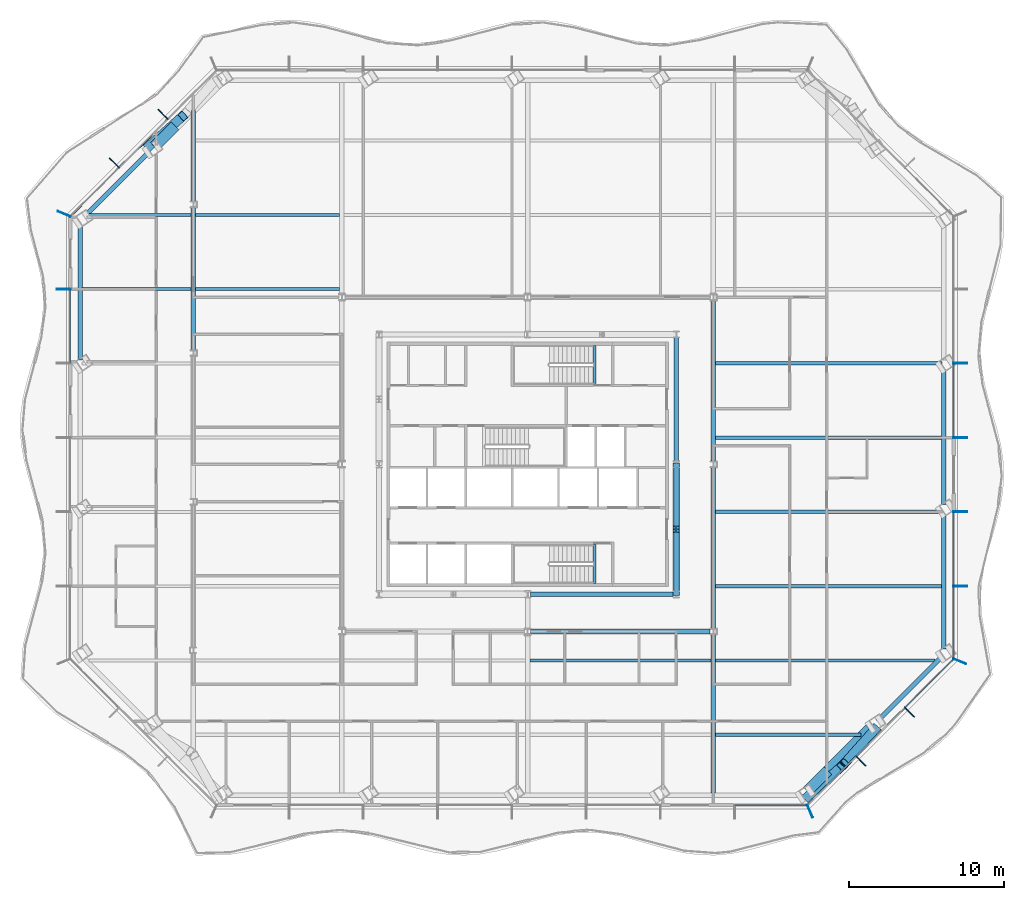
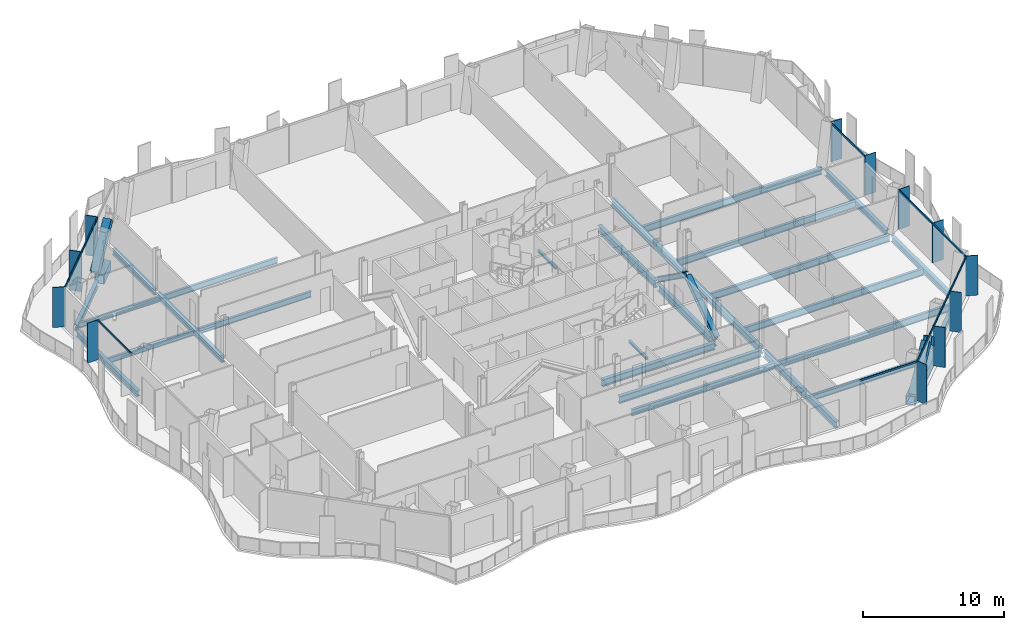
# One storey, part 4 of 21: 30 beams, 27 members, 5 elements without a shape of their own.
"""IFC4 building model written with IfcOpenShell, lengths in metres."""

from ifc_helpers import new_model, si_unit, direction, frame, origin, origin_2d, place, context, subcontext, project, spatial, rectangle, hollow_rectangle, i_section, extrude, material, material_profile, profile_set, type_object, element, aggregate, save


model = new_model("IFC4")

# Units and contexts
model_context = context("Model", 3, precision=1e-05, world=origin(), true_north=direction((0.0, 1.0)))
body_context = subcontext(model_context, "Body", "Model", "MODEL_VIEW")
ifc_project = project(units=[si_unit("LENGTHUNIT", "METRE"), si_unit("AREAUNIT", "SQUARE_METRE"), si_unit("VOLUMEUNIT", "CUBIC_METRE"), si_unit("PLANEANGLEUNIT", "RADIAN"), si_unit("MASSUNIT", "GRAM", prefix="KILO")], contexts=[model_context])

# Site, building, storey
site_placement = place(None, origin())
site = spatial("IfcSite", under=ifc_project, at=site_placement, CompositionType="ELEMENT")
building_placement = place(site_placement, origin())
building = spatial("IfcBuilding", under=site, at=building_placement, Name="Cairn Pilgrim Tower", CompositionType="ELEMENT")
storey_placement = place(building_placement, frame((0.0, 0.0, 108.60009765625)))
storey = spatial("IfcBuildingStorey", under=building, at=storey_placement, Name="L26", CompositionType="ELEMENT", Elevation=108.60009765625)

# Members
ifc_material_1 = material(Name="Structural steel S460M", Category="steel")
ifc_material_profile_1 = material_profile(ifc_material_1, hollow_rectangle(XDim=0.60009765625, YDim=0.60009765625, WallThickness=0.034912109375, at=origin_2d()), Name="BOX 600x600x35")
ifc_profile_set_1 = profile_set([ifc_material_profile_1], Name="Structural steel S460M")
member_type_1 = type_object("IfcMemberType", Name="BOX 600x600x35 BRACE", PredefinedType="BRACE", material=ifc_profile_set_1)
for number, where, z_axis, x_axis, name in (
    (1, (25.2626953125, -19.10302734375, 0.14990234375), (0.559642031848, 0.498871124755, 0.661761586279), (-0.665414936214, 0.746473685178, 0.0), "XB-SE1-SE2-1"),
    (2, (29.68603515625, -14.6796875, 0.14990234375), (-0.498871124755, -0.559642031848, 0.661761586279), (0.746473685178, -0.665414936214, 0.0), "XB-SE1-SE2-2"),
):
    element("IfcMember", number, at=place(storey_placement, frame(where, z_axis=z_axis, x_axis=x_axis)), inside=storey, type_object=member_type_1, Name=name, PredefinedType="BRACE", context=body_context, shape_type="SweptSolid", body=[
        extrude(hollow_rectangle(XDim=0.60009765625, YDim=0.60009765625, WallThickness=0.034912109375, at=origin_2d()), origin(), (0.0, 0.0, 1.0), 3.997314453125),
    ])
member_1_placement = place(storey_placement, frame((-17.302734375, 22.935302734375, 0.14990234375), z_axis=(0.559570901461, 0.498940471918, 0.661769455113), x_axis=(-0.665513600019, 0.746385723463, 0.0)))
element("IfcMember", 3, at=member_1_placement, inside=storey, type_object=member_type_1, Name="XB-NW1-NW2-2", PredefinedType="BRACE", context=body_context, shape_type="SweptSolid", body=[
    extrude(hollow_rectangle(XDim=0.60009765625, YDim=0.60009765625, WallThickness=0.034912109375, at=origin_2d()), origin(), (0.0, 0.0, 1.0), 3.97021484375),
])

# Beams
ifc_material_2 = material(Name="Structural steel S355J2", Category="steel")
ifc_material_profile_2 = material_profile(ifc_material_2, hollow_rectangle(XDim=0.699951171875, YDim=0.800048828125, WallThickness=0.0400390625, at=origin_2d()), Name="BOX 700x800x40")
ifc_profile_set_2 = profile_set([ifc_material_profile_2], Name="Structural steel S355J2")
beam_type_1 = type_object("IfcBeamType", Name="BOX 700x800x40 RING GIRDER", PredefinedType="SPANDREL", material=ifc_profile_set_2)
beam_1_placement = place(storey_placement, frame((25.2734375, -18.7177734375, -0.550048828125), z_axis=(0.707106781187, 0.707106781187, 0.0), x_axis=(-0.707106781187, 0.707106781187, 0.0)))
element("IfcBeam", 4, at=beam_1_placement, inside=storey, type_object=beam_type_1, Name="RG1-SE1-SE2-1", PredefinedType="SPANDREL", context=body_context, shape_type="SweptSolid", body=[
    extrude(hollow_rectangle(XDim=0.699951171875, YDim=0.800048828125, WallThickness=0.0400390625, at=origin_2d()), origin(), (0.0, 0.0, 1.0), 1.885498046875),
])
beam_2_placement = place(storey_placement, frame((26.606689453125, -17.384521484375, -0.550048828125), z_axis=(0.707106781187, 0.707106781187, 0.0), x_axis=(-0.707106781187, 0.707106781187, 0.0)))
element("IfcBeam", 5, at=beam_2_placement, inside=storey, type_object=beam_type_1, Name="RG1-SE1-SE2-2", PredefinedType="SPANDREL", context=body_context, shape_type="SweptSolid", body=[
    extrude(hollow_rectangle(XDim=0.699951171875, YDim=0.800048828125, WallThickness=0.0400390625, at=origin_2d()), origin(), (0.0, 0.0, 1.0), 3.81005859375),
])
beam_3_placement = place(storey_placement, frame((-15.584228515625, 24.279052734375, -0.550048828125), z_axis=(-0.707106781187, -0.707106781187, 0.0), x_axis=(0.707106781187, -0.707106781187, 0.0)))
element("IfcBeam", 6, at=beam_3_placement, inside=storey, type_object=beam_type_1, Name="RG1-NW1-NW2-2", PredefinedType="SPANDREL", context=body_context, shape_type="SweptSolid", body=[
    extrude(hollow_rectangle(XDim=0.699951171875, YDim=0.800048828125, WallThickness=0.0400390625, at=origin_2d()), origin(), (0.0, 0.0, 1.0), 1.885498046875),
])

# Curtain wall, members
ifc_material_3 = material(Name="Aluminium alloy 6063-T6 bronze anodised with Bronze tinted laminated low-E glass 8+16+8.8", Category="aluminium")
curtain_wall_type_1 = type_object("IfcCurtainWallType", Name="CHAMFER CORNER CURTAIN WALL", PredefinedType="NOTDEFINED", material=ifc_material_3)
curtain_wall_1_placement = place(storey_placement, origin())
curtain_wall_1 = element("IfcCurtainWall", 7, at=curtain_wall_1_placement, inside=storey, type_object=curtain_wall_type_1, Name="Chamfer Corner Curtain Wall SE", PredefinedType="NOTDEFINED")
ifc_material_4 = material(Name="Aluminium alloy 6063-T6 bronze anodised", Category="aluminium")
ifc_material_profile_3 = material_profile(ifc_material_4, rectangle(XDim=0.89990234375, YDim=0.06005859375, at=origin_2d()), Name="FIN MULLION 60x900 BRONZE")
ifc_profile_set_3 = profile_set([ifc_material_profile_3], Name="Aluminium alloy 6063-T6 bronze anodised")
member_type_2 = type_object("IfcMemberType", Name="FIN MULLION 60x900 BRONZE", PredefinedType="MULLION", material=ifc_profile_set_3)
member_2_placement = place(storey_placement, frame((25.44873046875, -20.01025390625, 0.0), z_axis=(0.0, 0.0, 1.0), x_axis=(0.382683432365, -0.923879532511, 0.0)))
member_2 = element("IfcMember", 8, at=member_2_placement, type_object=member_type_2, Name="Fin mullion SE1", PredefinedType="MULLION", context=body_context, shape_type="SweptSolid", body=[
    extrude(rectangle(XDim=0.89990234375, YDim=0.06005859375, at=origin_2d()), origin(), (0.0, 0.0, 1.0), 3.449951171875),
])
member_3_placement = place(storey_placement, frame((28.736328125, -16.76806640625, 0.0), z_axis=(0.0, 0.0, 1.0), x_axis=(0.707106781187, -0.707106781187, 0.0)))
member_3 = element("IfcMember", 9, at=member_3_placement, type_object=member_type_2, Name="Fin mullion SE2", PredefinedType="MULLION", context=body_context, shape_type="SweptSolid", body=[
    extrude(rectangle(XDim=0.89990234375, YDim=0.06005859375, at=origin_2d()), origin(), (0.0, 0.0, 1.0), 3.449951171875),
])
member_4_placement = place(storey_placement, frame((31.887451171875, -13.616943359375, 0.0), z_axis=(0.0, 0.0, 1.0), x_axis=(0.707106781187, -0.707106781187, 0.0)))
member_4 = element("IfcMember", 10, at=member_4_placement, type_object=member_type_2, Name="Fin mullion SE3", PredefinedType="MULLION", context=body_context, shape_type="SweptSolid", body=[
    extrude(rectangle(XDim=0.89990234375, YDim=0.06005859375, at=origin_2d()), origin(), (0.0, 0.0, 1.0), 3.449951171875),
])

curtain_wall_type_2 = type_object("IfcCurtainWallType", Name="TOWER STICK CURTAIN WALL EW", PredefinedType="NOTDEFINED", material=ifc_material_3)
curtain_wall_2_placement = place(storey_placement, origin())
curtain_wall_2 = element("IfcCurtainWall", 11, at=curtain_wall_2_placement, inside=storey, type_object=curtain_wall_type_2, Name="Tower Stick Curtain Wall Ew E", PredefinedType="NOTDEFINED")
member_5_placement = place(storey_placement, frame((35.129638671875, -10.329345703125, 0.0), z_axis=(0.0, 0.0, 1.0), x_axis=(0.923879532511, -0.382683432365, 0.0)))
member_5 = element("IfcMember", 12, at=member_5_placement, type_object=member_type_2, Name="Fin mullion E1", PredefinedType="MULLION", context=body_context, shape_type="SweptSolid", body=[
    extrude(rectangle(XDim=0.89990234375, YDim=0.06005859375, at=origin_2d()), origin(), (0.0, 0.0, 1.0), 3.449951171875),
])
member_6_placement = place(storey_placement, frame((35.16162109375, -5.47216796875, 0.0), z_axis=(0.0, 0.0, 1.0), x_axis=(1.0, 0.0, 0.0)))
member_6 = element("IfcMember", 13, at=member_6_placement, type_object=member_type_2, Name="Fin mullion E2", PredefinedType="MULLION", context=body_context, shape_type="SweptSolid", body=[
    extrude(rectangle(XDim=0.89990234375, YDim=0.06005859375, at=origin_2d()), origin(), (0.0, 0.0, 1.0), 3.449951171875),
])
member_7_placement = place(storey_placement, frame((35.16162109375, -0.67236328125, 0.0), z_axis=(0.0, 0.0, 1.0), x_axis=(1.0, 0.0, 0.0)))
member_7 = element("IfcMember", 14, at=member_7_placement, type_object=member_type_2, Name="Fin mullion E3", PredefinedType="MULLION", context=body_context, shape_type="SweptSolid", body=[
    extrude(rectangle(XDim=0.89990234375, YDim=0.06005859375, at=origin_2d()), origin(), (0.0, 0.0, 1.0), 3.449951171875),
])
member_8_placement = place(storey_placement, frame((35.16162109375, 4.127685546875, 0.0), z_axis=(0.0, 0.0, 1.0), x_axis=(1.0, 0.0, 0.0)))
member_8 = element("IfcMember", 15, at=member_8_placement, type_object=member_type_2, Name="Fin mullion E4", PredefinedType="MULLION", context=body_context, shape_type="SweptSolid", body=[
    extrude(rectangle(XDim=0.89990234375, YDim=0.06005859375, at=origin_2d()), origin(), (0.0, 0.0, 1.0), 3.449951171875),
])
member_9_placement = place(storey_placement, frame((35.16162109375, 8.927734375, 0.0), z_axis=(0.0, 0.0, 1.0), x_axis=(1.0, 0.0, 0.0)))
member_9 = element("IfcMember", 16, at=member_9_placement, type_object=member_type_2, Name="Fin mullion E5", PredefinedType="MULLION", context=body_context, shape_type="SweptSolid", body=[
    extrude(rectangle(XDim=0.89990234375, YDim=0.06005859375, at=origin_2d()), origin(), (0.0, 0.0, 1.0), 3.449951171875),
])

curtain_wall_3_placement = place(storey_placement, origin())
curtain_wall_3 = element("IfcCurtainWall", 17, at=curtain_wall_3_placement, inside=storey, type_object=curtain_wall_type_1, Name="Chamfer Corner Curtain Wall NW", PredefinedType="NOTDEFINED")
member_10_placement = place(storey_placement, frame((-16.35302734375, 25.0234375, 0.0), z_axis=(0.0, 0.0, 1.0), x_axis=(-0.707106781187, 0.707106781187, 0.0)))
member_10 = element("IfcMember", 18, at=member_10_placement, type_object=member_type_2, Name="Fin mullion NW2", PredefinedType="MULLION", context=body_context, shape_type="SweptSolid", body=[
    extrude(rectangle(XDim=0.89990234375, YDim=0.06005859375, at=origin_2d()), origin(), (0.0, 0.0, 1.0), 3.449951171875),
])
member_11_placement = place(storey_placement, frame((-19.504150390625, 21.872314453125, 0.0), z_axis=(0.0, 0.0, 1.0), x_axis=(-0.707106781187, 0.707106781187, 0.0)))
member_11 = element("IfcMember", 19, at=member_11_placement, type_object=member_type_2, Name="Fin mullion NW3", PredefinedType="MULLION", context=body_context, shape_type="SweptSolid", body=[
    extrude(rectangle(XDim=0.89990234375, YDim=0.06005859375, at=origin_2d()), origin(), (0.0, 0.0, 1.0), 3.449951171875),
])

curtain_wall_4_placement = place(storey_placement, origin())
curtain_wall_4 = element("IfcCurtainWall", 20, at=curtain_wall_4_placement, inside=storey, type_object=curtain_wall_type_2, Name="Tower Stick Curtain Wall Ew W", PredefinedType="NOTDEFINED")
member_12_placement = place(storey_placement, frame((-22.746337890625, 18.5849609375, 0.0), z_axis=(0.0, 0.0, 1.0), x_axis=(-0.923879532511, 0.382683432365, 0.0)))
member_12 = element("IfcMember", 21, at=member_12_placement, type_object=member_type_2, Name="Fin mullion W1", PredefinedType="MULLION", context=body_context, shape_type="SweptSolid", body=[
    extrude(rectangle(XDim=0.89990234375, YDim=0.06005859375, at=origin_2d()), origin(), (0.0, 0.0, 1.0), 3.449951171875),
])
member_13_placement = place(storey_placement, frame((-22.7783203125, 13.727783203125, 0.0), z_axis=(0.0, 0.0, 1.0), x_axis=(-1.0, 0.0, 0.0)))
member_13 = element("IfcMember", 22, at=member_13_placement, type_object=member_type_2, Name="Fin mullion W2", PredefinedType="MULLION", context=body_context, shape_type="SweptSolid", body=[
    extrude(rectangle(XDim=0.89990234375, YDim=0.06005859375, at=origin_2d()), origin(), (0.0, 0.0, 1.0), 3.449951171875),
])

# Members
ifc_material_profile_4 = material_profile(ifc_material_1, i_section(OverallWidth=0.408935546875, OverallDepth=0.425048828125, WebThickness=0.03271484375, FlangeThickness=0.052490234375, FilletRadius=0.014892578125, at=origin_2d()), Name="HD 400x421")
ifc_profile_set_4 = profile_set([ifc_material_profile_4], Name="Structural steel S460M")
member_type_3 = type_object("IfcMemberType", Name="HD 400x421 BRACE", PredefinedType="BRACE", material=ifc_profile_set_4)
for number, where, z_axis, x_axis, name in (
    (23, (16.800048828125, -5.95751953125, 0.099853515625), (0.0, 0.814281054922, 0.58047081201), (-1.0, 0.0, 0.0), "KB-2A"),
    (24, (16.800048828125, 2.357666015625, 0.099853515625), (0.0, -0.814281054922, 0.58047081201), (1.0, 0.0, 0.0), "KB-2B"),
):
    element("IfcMember", number, at=place(storey_placement, frame(where, z_axis=z_axis, x_axis=x_axis)), inside=storey, type_object=member_type_3, Name=name, PredefinedType="BRACE", context=body_context, shape_type="SweptSolid", body=[
        extrude(i_section(OverallWidth=0.408935546875, OverallDepth=0.425048828125, WebThickness=0.03271484375, FlangeThickness=0.052490234375, FilletRadius=0.014892578125, at=origin_2d()), origin(), (0.0, 0.0, 1.0), 4.99755859375),
    ])

# Beams
ifc_material_profile_5 = material_profile(ifc_material_2, i_section(OverallWidth=0.300048828125, OverallDepth=0.5, WebThickness=0.014404296875, FlangeThickness=0.028076171875, FilletRadius=0.027099609375, at=origin_2d()), Name="HEB 500")
ifc_profile_set_5 = profile_set([ifc_material_profile_5], Name="Structural steel S355J2")
beam_type_2 = type_object("IfcBeamType", Name="HEB 500 GIRDER", PredefinedType="BEAM", material=ifc_profile_set_5)
beam_4_placement = place(storey_placement, frame((-14.39990234375, 9.799560546875, -0.400146484375), z_axis=(0.0, 1.0, 0.0), x_axis=(-1.0, 0.0, 0.0)))
element("IfcBeam", 25, at=beam_4_placement, inside=storey, type_object=beam_type_2, Name="PG1-4", PredefinedType="BEAM", context=body_context, shape_type="SweptSolid", body=[
    extrude(i_section(OverallWidth=0.300048828125, OverallDepth=0.5, WebThickness=0.014404296875, FlangeThickness=0.028076171875, FilletRadius=0.027099609375, at=origin_2d()), origin(), (0.0, 0.0, 1.0), 9.200927734375),
])
beam_5_placement = place(storey_placement, frame((-14.39990234375, 19.3994140625, -0.400146484375), z_axis=(0.0, 1.0, 0.0), x_axis=(-1.0, 0.0, 0.0)))
element("IfcBeam", 26, at=beam_5_placement, inside=storey, type_object=beam_type_2, Name="PG1-5", PredefinedType="BEAM", context=body_context, shape_type="SweptSolid", body=[
    extrude(i_section(OverallWidth=0.300048828125, OverallDepth=0.5, WebThickness=0.014404296875, FlangeThickness=0.028076171875, FilletRadius=0.027099609375, at=origin_2d()), origin(), (0.0, 0.0, 1.0), 5.8818359375),
])
ifc_material_profile_6 = material_profile(ifc_material_2, i_section(OverallWidth=0.300048828125, OverallDepth=0.5, WebThickness=0.014404296875, FlangeThickness=0.028076171875, FilletRadius=0.027099609375, at=origin_2d()), Name="HEB 500")
ifc_profile_set_6 = profile_set([ifc_material_profile_6], Name="Structural steel S355J2")
beam_type_3 = type_object("IfcBeamType", Name="HEB 500 RING GIRDER", PredefinedType="SPANDREL", material=ifc_profile_set_6)
beam_6_placement = place(storey_placement, frame((29.809814453125, -14.181396484375, -0.400146484375), z_axis=(0.707106781187, 0.707106781187, 0.0), x_axis=(-0.707106781187, 0.707106781187, 0.0)))
element("IfcBeam", 27, at=beam_6_placement, inside=storey, type_object=beam_type_3, Name="RG1-SE2-E1", PredefinedType="SPANDREL", context=body_context, shape_type="SweptSolid", body=[
    extrude(i_section(OverallWidth=0.300048828125, OverallDepth=0.5, WebThickness=0.014404296875, FlangeThickness=0.028076171875, FilletRadius=0.027099609375, at=origin_2d()), origin(), (0.0, 0.0, 1.0), 5.695556640625),
])
for number, where, z_axis, x_axis, name in (
    (28, (34.091552734375, -9.53955078125, -0.400146484375), (0.0, 1.0, 0.0), (-1.0, 0.0, 0.0), "RG1-E1-E2"),
    (29, (34.091552734375, -0.18798828125, -0.400146484375), (0.0, 1.0, 0.0), (-1.0, 0.0, 0.0), "RG1-E2-E3"),
):
    element("IfcBeam", number, at=place(storey_placement, frame(where, z_axis=z_axis, x_axis=x_axis)), inside=storey, type_object=beam_type_3, Name=name, PredefinedType="SPANDREL", context=body_context, shape_type="SweptSolid", body=[
        extrude(i_section(OverallWidth=0.300048828125, OverallDepth=0.5, WebThickness=0.014404296875, FlangeThickness=0.028076171875, FilletRadius=0.027099609375, at=origin_2d()), origin(), (0.0, 0.0, 1.0), 8.631591796875),
    ])
beam_7_placement = place(storey_placement, frame((-17.426513671875, 22.436767578125, -0.400146484375), z_axis=(-0.707106781187, -0.707106781187, 0.0), x_axis=(0.707106781187, -0.707106781187, 0.0)))
element("IfcBeam", 30, at=beam_7_placement, inside=storey, type_object=beam_type_3, Name="RG1-NW2-W1", PredefinedType="SPANDREL", context=body_context, shape_type="SweptSolid", body=[
    extrude(i_section(OverallWidth=0.300048828125, OverallDepth=0.5, WebThickness=0.014404296875, FlangeThickness=0.028076171875, FilletRadius=0.027099609375, at=origin_2d()), origin(), (0.0, 0.0, 1.0), 5.695556640625),
])
beam_8_placement = place(storey_placement, frame((-21.70849609375, 17.794921875, -0.400146484375), z_axis=(0.0, -1.0, 0.0), x_axis=(1.0, 0.0, 0.0)))
element("IfcBeam", 31, at=beam_8_placement, inside=storey, type_object=beam_type_3, Name="RG1-W1-W2", PredefinedType="SPANDREL", context=body_context, shape_type="SweptSolid", body=[
    extrude(i_section(OverallWidth=0.300048828125, OverallDepth=0.5, WebThickness=0.014404296875, FlangeThickness=0.028076171875, FilletRadius=0.027099609375, at=origin_2d()), origin(), (0.0, 0.0, 1.0), 8.63134765625),
])
ifc_material_profile_7 = material_profile(ifc_material_2, i_section(OverallWidth=0.300048828125, OverallDepth=0.60009765625, WebThickness=0.015380859375, FlangeThickness=0.030029296875, FilletRadius=0.027099609375, at=origin_2d()), Name="HEB 600")
ifc_profile_set_7 = profile_set([ifc_material_profile_7], Name="Structural steel S355J2")
beam_type_4 = type_object("IfcBeamType", Name="HEB 600 CORE BEAM", PredefinedType="BEAM", material=ifc_profile_set_7)
beam_9_placement = place(storey_placement, frame((7.390869140625, -6.0, -0.4501953125), z_axis=(1.0, 0.0, 0.0), x_axis=(0.0, 1.0, 0.0)))
element("IfcBeam", 32, at=beam_9_placement, inside=storey, type_object=beam_type_4, Name="CB-2", PredefinedType="BEAM", context=body_context, shape_type="SweptSolid", body=[
    extrude(i_section(OverallWidth=0.300048828125, OverallDepth=0.60009765625, WebThickness=0.015380859375, FlangeThickness=0.030029296875, FilletRadius=0.027099609375, at=origin_2d()), origin(), (0.0, 0.0, 1.0), 9.21826171875),
])
for number, where, z_axis, x_axis, name in (
    (33, (16.800048828125, -5.80908203125, -0.4501953125), (0.0, 1.0, 0.0), (-1.0, 0.0, 0.0), "CB-3"),
    (34, (16.800048828125, 2.5908203125, -0.4501953125), (0.0, 1.0, 0.0), (-1.0, 0.0, 0.0), "CB-4"),
):
    element("IfcBeam", number, at=place(storey_placement, frame(where, z_axis=z_axis, x_axis=x_axis)), inside=storey, type_object=beam_type_4, Name=name, PredefinedType="BEAM", context=body_context, shape_type="SweptSolid", body=[
        extrude(i_section(OverallWidth=0.300048828125, OverallDepth=0.60009765625, WebThickness=0.015380859375, FlangeThickness=0.030029296875, FilletRadius=0.027099609375, at=origin_2d()), origin(), (0.0, 0.0, 1.0), 8.018310546875),
    ])
ifc_material_profile_8 = material_profile(ifc_material_2, i_section(OverallWidth=0.300048828125, OverallDepth=0.60009765625, WebThickness=0.015380859375, FlangeThickness=0.030029296875, FilletRadius=0.027099609375, at=origin_2d()), Name="HEB 600")
ifc_profile_set_8 = profile_set([ifc_material_profile_8], Name="Structural steel S355J2")
beam_type_5 = type_object("IfcBeamType", Name="HEB 600 GIRDER", PredefinedType="BEAM", material=ifc_profile_set_8)
beam_10_placement = place(storey_placement, frame((19.199951171875, -18.852294921875, -0.4501953125), z_axis=(0.0, 1.0, 0.0), x_axis=(-1.0, 0.0, 0.0)))
element("IfcBeam", 35, at=beam_10_placement, inside=storey, type_object=beam_type_5, Name="PG4-1", PredefinedType="BEAM", context=body_context, shape_type="SweptSolid", body=[
    extrude(i_section(OverallWidth=0.300048828125, OverallDepth=0.60009765625, WebThickness=0.015380859375, FlangeThickness=0.030029296875, FilletRadius=0.027099609375, at=origin_2d()), origin(), (0.0, 0.0, 1.0), 10.247802734375),
])
for number, where, z_axis, x_axis, name in (
    (36, (19.199951171875, -8.195556640625, -0.4501953125), (0.0, 1.0, 0.0), (-1.0, 0.0, 0.0), "PG4-2"),
    (37, (19.199951171875, 2.6044921875, -0.4501953125), (0.0, 1.0, 0.0), (-1.0, 0.0, 0.0), "PG4-3"),
):
    element("IfcBeam", number, at=place(storey_placement, frame(where, z_axis=z_axis, x_axis=x_axis)), inside=storey, type_object=beam_type_5, Name=name, PredefinedType="BEAM", context=body_context, shape_type="SweptSolid", body=[
        extrude(i_section(OverallWidth=0.300048828125, OverallDepth=0.60009765625, WebThickness=0.015380859375, FlangeThickness=0.030029296875, FilletRadius=0.027099609375, at=origin_2d()), origin(), (0.0, 0.0, 1.0), 10.39111328125),
    ])
ifc_material_profile_9 = material_profile(ifc_material_2, i_section(OverallWidth=0.300048828125, OverallDepth=0.60009765625, WebThickness=0.015380859375, FlangeThickness=0.030029296875, FilletRadius=0.027099609375, at=origin_2d()), Name="HEB 600")
ifc_profile_set_9 = profile_set([ifc_material_profile_9], Name="Structural steel S355J2")
beam_type_6 = type_object("IfcBeamType", Name="HEB 600 INNER GIRDER", PredefinedType="BEAM", material=ifc_profile_set_9)
beam_11_placement = place(storey_placement, frame((7.404541015625, -8.39990234375, -0.4501953125), z_axis=(1.0, 0.0, 0.0), x_axis=(0.0, 1.0, 0.0)))
element("IfcBeam", 38, at=beam_11_placement, inside=storey, type_object=beam_type_6, Name="IG1-2", PredefinedType="BEAM", context=body_context, shape_type="SweptSolid", body=[
    extrude(i_section(OverallWidth=0.300048828125, OverallDepth=0.60009765625, WebThickness=0.015380859375, FlangeThickness=0.030029296875, FilletRadius=0.027099609375, at=origin_2d()), origin(), (0.0, 0.0, 1.0), 11.591064453125),
])
ifc_material_profile_10 = material_profile(ifc_material_2, i_section(OverallWidth=0.18994140625, OverallDepth=0.449951171875, WebThickness=0.009521484375, FlangeThickness=0.0146484375, FilletRadius=0.02099609375, at=origin_2d()), Name="IPE 450")
ifc_profile_set_10 = profile_set([ifc_material_profile_10], Name="Structural steel S355J2")
beam_type_7 = type_object("IfcBeamType", Name="IPE 450 SECONDARY BEAM", PredefinedType="JOIST", material=ifc_profile_set_10)
beam_12_placement = place(storey_placement, frame((-21.58837890625, 13.727783203125, -0.375), z_axis=(1.0, 0.0, 0.0), x_axis=(0.0, 1.0, 0.0)))
element("IfcBeam", 39, at=beam_12_placement, inside=storey, type_object=beam_type_7, Name="SB7-1", PredefinedType="JOIST", context=body_context, shape_type="SweptSolid", body=[
    extrude(i_section(OverallWidth=0.18994140625, OverallDepth=0.449951171875, WebThickness=0.009521484375, FlangeThickness=0.0146484375, FilletRadius=0.02099609375, at=origin_2d()), origin(), (0.0, 0.0, 1.0), 7.038330078125),
])
beam_13_placement = place(storey_placement, frame((-21.153564453125, 18.527587890625, -0.375), z_axis=(1.0, 0.0, 0.0), x_axis=(0.0, 1.0, 0.0)))
element("IfcBeam", 40, at=beam_13_placement, inside=storey, type_object=beam_type_7, Name="SB8-1", PredefinedType="JOIST", context=body_context, shape_type="SweptSolid", body=[
    extrude(i_section(OverallWidth=0.18994140625, OverallDepth=0.449951171875, WebThickness=0.009521484375, FlangeThickness=0.0146484375, FilletRadius=0.02099609375, at=origin_2d()), origin(), (0.0, 0.0, 1.0), 6.603515625),
])
ifc_material_profile_11 = material_profile(ifc_material_2, i_section(OverallWidth=0.199951171875, OverallDepth=0.5, WebThickness=0.01025390625, FlangeThickness=0.01611328125, FilletRadius=0.02099609375, at=origin_2d()), Name="IPE 500")
ifc_profile_set_11 = profile_set([ifc_material_profile_11], Name="Structural steel S355J2")
beam_type_8 = type_object("IfcBeamType", Name="IPE 500 SECONDARY BEAM", PredefinedType="JOIST", material=ifc_profile_set_11)
beam_14_placement = place(storey_placement, frame((19.35009765625, -15.072265625, -0.400146484375), z_axis=(1.0, 0.0, 0.0), x_axis=(0.0, 1.0, 0.0)))
element("IfcBeam", 41, at=beam_14_placement, inside=storey, type_object=beam_type_8, Name="SB1-4", PredefinedType="JOIST", context=body_context, shape_type="SweptSolid", body=[
    extrude(i_section(OverallWidth=0.199951171875, OverallDepth=0.5, WebThickness=0.01025390625, FlangeThickness=0.01611328125, FilletRadius=0.02099609375, at=origin_2d()), origin(), (0.0, 0.0, 1.0), 9.38671875),
])
for number, where, z_axis, x_axis, name in (
    (42, (-14.25, 13.727783203125, -0.400146484375), (1.0, 0.0, 0.0), (0.0, 1.0, 0.0), "SB7-2"),
    (43, (-14.25, 18.527587890625, -0.400146484375), (1.0, 0.0, 0.0), (0.0, 1.0, 0.0), "SB8-2"),
):
    element("IfcBeam", number, at=place(storey_placement, frame(where, z_axis=z_axis, x_axis=x_axis)), inside=storey, type_object=beam_type_8, Name=name, PredefinedType="JOIST", context=body_context, shape_type="SweptSolid", body=[
        extrude(i_section(OverallWidth=0.199951171875, OverallDepth=0.5, WebThickness=0.01025390625, FlangeThickness=0.01611328125, FilletRadius=0.02099609375, at=origin_2d()), origin(), (0.0, 0.0, 1.0), 9.300048828125),
    ])
ifc_material_profile_12 = material_profile(ifc_material_2, i_section(OverallWidth=0.2099609375, OverallDepth=0.550048828125, WebThickness=0.010986328125, FlangeThickness=0.01708984375, FilletRadius=0.02392578125, at=origin_2d()), Name="IPE 550")
ifc_profile_set_12 = profile_set([ifc_material_profile_12], Name="Structural steel S355J2")
beam_type_9 = type_object("IfcBeamType", Name="IPE 550 SECONDARY BEAM", PredefinedType="JOIST", material=ifc_profile_set_12)
beam_15_placement = place(storey_placement, frame((7.35009765625, -10.272216796875, -0.425048828125), z_axis=(1.0, 0.0, 0.0), x_axis=(0.0, 1.0, 0.0)))
element("IfcBeam", 44, at=beam_15_placement, inside=storey, type_object=beam_type_9, Name="SB2-4", PredefinedType="JOIST", context=body_context, shape_type="SweptSolid", body=[
    extrude(i_section(OverallWidth=0.2099609375, OverallDepth=0.550048828125, WebThickness=0.010986328125, FlangeThickness=0.01708984375, FilletRadius=0.02392578125, at=origin_2d()), origin(), (0.0, 0.0, 1.0), 11.699951171875),
])
ifc_material_profile_13 = material_profile(ifc_material_2, i_section(OverallWidth=0.219970703125, OverallDepth=0.60009765625, WebThickness=0.011962890625, FlangeThickness=0.01904296875, FilletRadius=0.02392578125, at=origin_2d()), Name="IPE 600")
ifc_profile_set_13 = profile_set([ifc_material_profile_13], Name="Structural steel S355J2")
beam_type_10 = type_object("IfcBeamType", Name="IPE 600 SECONDARY BEAM", PredefinedType="JOIST", material=ifc_profile_set_13)
beam_16_placement = place(storey_placement, frame((19.35009765625, -10.272216796875, -0.4501953125), z_axis=(1.0, 0.0, 0.0), x_axis=(0.0, 1.0, 0.0)))
element("IfcBeam", 45, at=beam_16_placement, inside=storey, type_object=beam_type_10, Name="SB2-5", PredefinedType="JOIST", context=body_context, shape_type="SweptSolid", body=[
    extrude(i_section(OverallWidth=0.219970703125, OverallDepth=0.60009765625, WebThickness=0.011962890625, FlangeThickness=0.01904296875, FilletRadius=0.02392578125, at=origin_2d()), origin(), (0.0, 0.0, 1.0), 14.1865234375),
])
for number, where, z_axis, x_axis, name in (
    (46, (19.35009765625, -5.472412109375, -0.4501953125), (1.0, 0.0, 0.0), (0.0, 1.0, 0.0), "SB3-3"),
    (47, (19.35009765625, -0.67236328125, -0.4501953125), (1.0, 0.0, 0.0), (0.0, 1.0, 0.0), "SB4-3"),
    (48, (19.35009765625, 4.127685546875, -0.4501953125), (1.0, 0.0, 0.0), (0.0, 1.0, 0.0), "SB5-3"),
    (49, (19.35009765625, 8.927734375, -0.4501953125), (1.0, 0.0, 0.0), (0.0, 1.0, 0.0), "SB6-3"),
):
    element("IfcBeam", number, at=place(storey_placement, frame(where, z_axis=z_axis, x_axis=x_axis)), inside=storey, type_object=beam_type_10, Name=name, PredefinedType="JOIST", context=body_context, shape_type="SweptSolid", body=[
        extrude(i_section(OverallWidth=0.219970703125, OverallDepth=0.60009765625, WebThickness=0.011962890625, FlangeThickness=0.01904296875, FilletRadius=0.02392578125, at=origin_2d()), origin(), (0.0, 0.0, 1.0), 14.62158203125),
    ])
ifc_material_profile_14 = material_profile(ifc_material_2, i_section(OverallWidth=0.199951171875, OverallDepth=0.199951171875, WebThickness=0.009033203125, FlangeThickness=0.014892578125, FilletRadius=0.01806640625, at=origin_2d()), Name="HE 200 B")
ifc_profile_set_14 = profile_set([ifc_material_profile_14], Name="Structural steel S355J2")
beam_type_11 = type_object("IfcBeamType", Name="STAIR LANDING BEAM HE 200 B", PredefinedType="BEAM", material=ifc_profile_set_14)
for number, where, z_axis, x_axis, name in (
    (50, (11.5244140625, -2.77490234375, -0.25), (0.0, -1.0, 0.0), (1.0, 0.0, 0.0), "STAIR LANDING BEAM LD-HE200B"),
    (51, (11.5244140625, 10.10009765625, -0.25), (0.0, -1.0, 0.0), (1.0, 0.0, 0.0), "STAIR LANDING BEAM LD-HE200B"),
):
    element("IfcBeam", number, at=place(storey_placement, frame(where, z_axis=z_axis, x_axis=x_axis)), inside=storey, type_object=beam_type_11, Name=name, PredefinedType="BEAM", context=body_context, shape_type="SweptSolid", body=[
        extrude(i_section(OverallWidth=0.199951171875, OverallDepth=0.199951171875, WebThickness=0.009033203125, FlangeThickness=0.014892578125, FilletRadius=0.01806640625, at=origin_2d()), origin(), (0.0, 0.0, 1.0), 2.525146484375),
    ])

# Curtain wall, member
curtain_wall_type_3 = type_object("IfcCurtainWallType", Name="TOWER STICK CURTAIN WALL NS", PredefinedType="NOTDEFINED", material=ifc_material_3)
curtain_wall_5_placement = place(storey_placement, origin())
curtain_wall_5 = element("IfcCurtainWall", 52, at=curtain_wall_5_placement, inside=storey, type_object=curtain_wall_type_3, Name="Tower Stick Curtain Wall Ns S", PredefinedType="NOTDEFINED")
ifc_material_profile_15 = material_profile(ifc_material_4, rectangle(XDim=0.080078125, YDim=0.14990234375, at=origin_2d()), Name="TRANSOM 80x150 BRONZE")
ifc_profile_set_15 = profile_set([ifc_material_profile_15], Name="Aluminium alloy 6063-T6 bronze anodised")
member_type_4 = type_object("IfcMemberType", Name="TRANSOM 80x150 BRONZE", PredefinedType="USERDEFINED", material=ifc_profile_set_15)
member_14_placement = place(storey_placement, frame((20.62158203125, -19.622314453125, 3.375), z_axis=(1.0, 0.0, 0.0), x_axis=(0.0, 1.0, 0.0)))
member_14 = element("IfcMember", 53, at=member_14_placement, type_object=member_type_4, Name="Transom S8", ObjectType="TRANSOM", PredefinedType="USERDEFINED", context=body_context, shape_type="SweptSolid", body=[
    extrude(rectangle(XDim=0.080078125, YDim=0.14990234375, at=origin_2d()), origin(), (0.0, 0.0, 1.0), 4.62646484375),
])
aggregate(curtain_wall_5, [member_14])

# Member
member_15_placement = place(storey_placement, frame((25.31640625, -19.593994140625, 3.375), z_axis=(0.70707895165, 0.707134609628, 0.0), x_axis=(-0.707134609628, 0.70707895165, 0.0)))
member_15 = element("IfcMember", 54, at=member_15_placement, type_object=member_type_4, Name="Transom SE1", ObjectType="TRANSOM", PredefinedType="USERDEFINED", context=body_context, shape_type="SweptSolid", body=[
    extrude(rectangle(XDim=0.080078125, YDim=0.14990234375, at=origin_2d()), origin(), (0.0, 0.0, 1.0), 4.386474609375),
])

member_16_placement = place(storey_placement, frame((28.46044921875, -16.449951171875, 3.375), z_axis=(0.707106781187, 0.707106781187, 0.0), x_axis=(-0.707106781187, 0.707106781187, 0.0)))
member_16 = element("IfcMember", 55, at=member_16_placement, type_object=member_type_4, Name="Transom SE2", ObjectType="TRANSOM", PredefinedType="USERDEFINED", context=body_context, shape_type="SweptSolid", body=[
    extrude(rectangle(XDim=0.080078125, YDim=0.14990234375, at=origin_2d()), origin(), (0.0, 0.0, 1.0), 4.396728515625),
])

member_17_placement = place(storey_placement, frame((31.611572265625, -13.298583984375, 3.375), z_axis=(0.707134609628, 0.70707895165, 0.0), x_axis=(-0.70707895165, 0.707134609628, 0.0)))
member_17 = element("IfcMember", 56, at=member_17_placement, type_object=member_type_4, Name="Transom SE3", ObjectType="TRANSOM", PredefinedType="USERDEFINED", context=body_context, shape_type="SweptSolid", body=[
    extrude(rectangle(XDim=0.080078125, YDim=0.14990234375, at=origin_2d()), origin(), (0.0, 0.0, 1.0), 4.386474609375),
])

aggregate(curtain_wall_1, [member_2, member_3, member_4, member_15, member_16, member_17])

member_18_placement = place(storey_placement, frame((34.74169921875, -10.128662109375, 3.375), z_axis=(0.0, 1.0, 0.0), x_axis=(-1.0, 0.0, 0.0)))
member_18 = element("IfcMember", 57, at=member_18_placement, type_object=member_type_4, Name="Transom E1", ObjectType="TRANSOM", PredefinedType="USERDEFINED", context=body_context, shape_type="SweptSolid", body=[
    extrude(rectangle(XDim=0.080078125, YDim=0.14990234375, at=origin_2d()), origin(), (0.0, 0.0, 1.0), 4.62646484375),
])

member_19_placement = place(storey_placement, frame((34.74169921875, -5.442138671875, 3.375), z_axis=(0.0, 1.0, 0.0), x_axis=(-1.0, 0.0, 0.0)))
member_19 = element("IfcMember", 58, at=member_19_placement, type_object=member_type_4, Name="Transom E2", ObjectType="TRANSOM", PredefinedType="USERDEFINED", context=body_context, shape_type="SweptSolid", body=[
    extrude(rectangle(XDim=0.080078125, YDim=0.14990234375, at=origin_2d()), origin(), (0.0, 0.0, 1.0), 4.739990234375),
])

member_20_placement = place(storey_placement, frame((34.74169921875, 4.15771484375, 3.375), z_axis=(0.0, 1.0, 0.0), x_axis=(-1.0, 0.0, 0.0)))
member_20 = element("IfcMember", 59, at=member_20_placement, type_object=member_type_4, Name="Transom E4", ObjectType="TRANSOM", PredefinedType="USERDEFINED", context=body_context, shape_type="SweptSolid", body=[
    extrude(rectangle(XDim=0.080078125, YDim=0.14990234375, at=origin_2d()), origin(), (0.0, 0.0, 1.0), 4.739990234375),
])

aggregate(curtain_wall_2, [member_5, member_6, member_7, member_8, member_9, member_18, member_19, member_20])

member_21_placement = place(storey_placement, frame((-16.0771484375, 24.705322265625, 3.375), z_axis=(-0.707134546251, -0.707079015032, 0.0), x_axis=(0.707079015032, -0.707134546251, 0.0)))
member_21 = element("IfcMember", 60, at=member_21_placement, type_object=member_type_4, Name="Transom NW2", ObjectType="TRANSOM", PredefinedType="USERDEFINED", context=body_context, shape_type="SweptSolid", body=[
    extrude(rectangle(XDim=0.080078125, YDim=0.14990234375, at=origin_2d()), origin(), (0.0, 0.0, 1.0), 4.396484375),
])

member_22_placement = place(storey_placement, frame((-19.228515625, 21.55419921875, 3.375), z_axis=(-0.70707895165, -0.707134609628, 0.0), x_axis=(0.707134609628, -0.70707895165, 0.0)))
member_22 = element("IfcMember", 61, at=member_22_placement, type_object=member_type_4, Name="Transom NW3", ObjectType="TRANSOM", PredefinedType="USERDEFINED", context=body_context, shape_type="SweptSolid", body=[
    extrude(rectangle(XDim=0.080078125, YDim=0.14990234375, at=origin_2d()), origin(), (0.0, 0.0, 1.0), 4.386474609375),
])

aggregate(curtain_wall_3, [member_10, member_11, member_21, member_22])

member_23_placement = place(storey_placement, frame((-22.3583984375, 13.69775390625, 3.375), z_axis=(0.0, -1.0, 0.0), x_axis=(1.0, 0.0, 0.0)))
member_23 = element("IfcMember", 62, at=member_23_placement, type_object=member_type_4, Name="Transom W2", ObjectType="TRANSOM", PredefinedType="USERDEFINED", context=body_context, shape_type="SweptSolid", body=[
    extrude(rectangle(XDim=0.080078125, YDim=0.14990234375, at=origin_2d()), origin(), (0.0, 0.0, 1.0), 4.739990234375),
])

aggregate(curtain_wall_4, [member_12, member_13, member_23])

save(model, "model.ifc")
